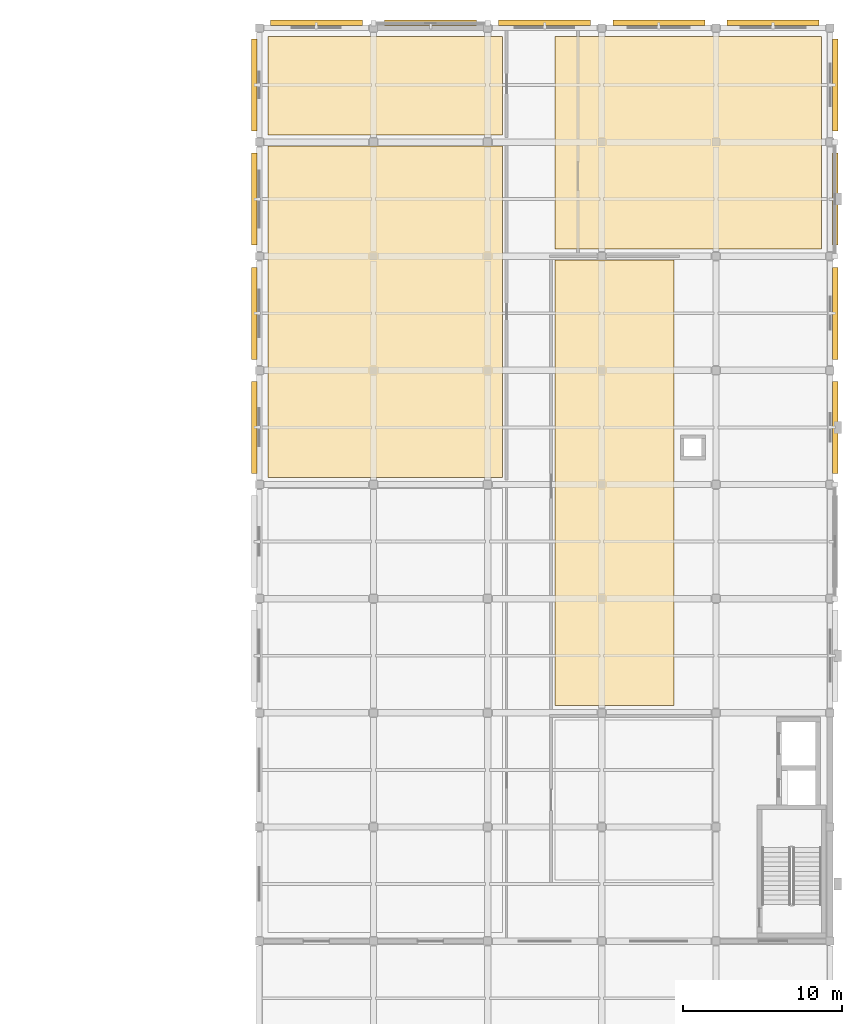
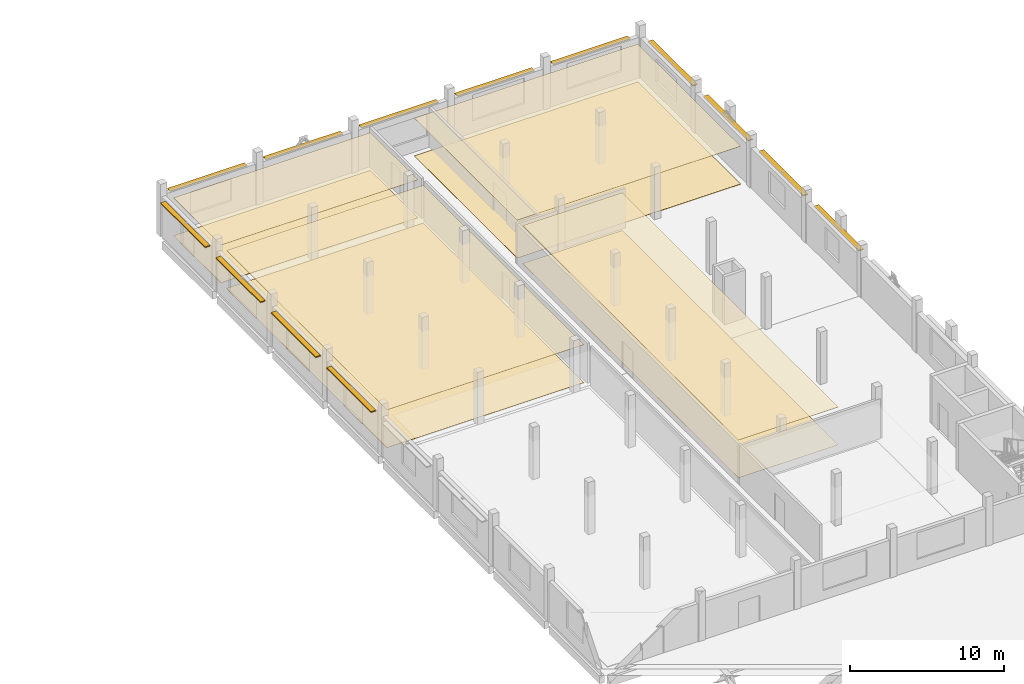
# One storey, part 33 of 33: 13 shading devices, 8 coverings.
"""IFC4 building model written with IfcOpenShell, lengths in metres."""

from ifc_helpers import new_model, si_unit, direction, frame, origin, origin_2d, place, context, subcontext, project, spatial, polyline, rectangle, outline, extrude, material, layer, layer_set, type_object, element, save


model = new_model("IFC4")

# Units and contexts
model_context = context("Model", 3, precision=1e-05, world=origin(), true_north=direction((0.0, 1.0)))
body_context = subcontext(model_context, "Body", "Model", "MODEL_VIEW")
ifc_project = project(units=[si_unit("LENGTHUNIT", "METRE"), si_unit("AREAUNIT", "SQUARE_METRE"), si_unit("VOLUMEUNIT", "CUBIC_METRE"), si_unit("PLANEANGLEUNIT", "RADIAN"), si_unit("MASSUNIT", "GRAM", prefix="KILO")], contexts=[model_context])

# Site, building, storey
site_placement = place(None, origin())
site = spatial("IfcSite", under=ifc_project, at=site_placement, CompositionType="ELEMENT")
building_placement = place(site_placement, origin())
building = spatial("IfcBuilding", under=site, at=building_placement, Name="Valkovuoma Quantum and Materials Research Institute", CompositionType="ELEMENT")
storey_placement = place(building_placement, frame((0.0, 0.0, 21.43994140625)))
storey = spatial("IfcBuildingStorey", under=building, at=storey_placement, Name="L05", CompositionType="ELEMENT", Elevation=21.43994140625)

# Coverings
ifc_material_1 = material(Name="Cleanable acoustic mineral-fibre suspended ceiling", Category="masonry")
ifc_layer_1 = layer(ifc_material_1, 0.02490234375)
ifc_layer_set_1 = layer_set([ifc_layer_1], Name="Cleanable acoustic mineral-fibre suspended ceiling")
covering_type_1 = type_object("IfcCoveringType", Name="Cov-CEIL-01", PredefinedType="CEILING", material=ifc_layer_set_1)
covering_1_placement = place(storey_placement, frame((0.0, 0.0, 3.0)))
element("IfcCovering", 1, at=covering_1_placement, inside=storey, type_object=covering_type_1, Name="L05 acoustic ceiling 0128", PredefinedType="CEILING", context=body_context, shape_type="SweptSolid", body=[
    extrude(outline(polyline([(130.14990234375, 86.85009765625), (144.949951171875, 86.85009765625), (144.949951171875, 107.75), (130.14990234375, 107.75), (130.14990234375, 86.85009765625)])), origin(), (0.0, 0.0, 1.0), 0.025146484375),
])
covering_2_placement = place(storey_placement, frame((0.0, 0.0, 3.0)))
element("IfcCovering", 2, at=covering_2_placement, inside=storey, type_object=covering_type_1, Name="L05 acoustic ceiling 0129", PredefinedType="CEILING", context=body_context, shape_type="SweptSolid", body=[
    extrude(outline(polyline([(130.14990234375, 108.449951171875), (144.949951171875, 108.449951171875), (144.949951171875, 114.64990234375), (130.14990234375, 114.64990234375), (130.14990234375, 108.449951171875)])), origin(), (0.0, 0.0, 1.0), 0.025146484375),
])
covering_3_placement = place(storey_placement, frame((0.0, 0.0, 3.0)))
element("IfcCovering", 3, at=covering_3_placement, inside=storey, type_object=covering_type_1, Name="L05 acoustic ceiling 0131", PredefinedType="CEILING", context=body_context, shape_type="SweptSolid", body=[
    extrude(outline(polyline([(148.25, 72.449951171875), (155.75, 72.449951171875), (155.75, 100.550048828125), (148.25, 100.550048828125), (148.25, 72.449951171875)])), origin(), (0.0, 0.0, 1.0), 0.025146484375),
])
covering_4_placement = place(storey_placement, frame((0.0, 0.0, 3.0)))
element("IfcCovering", 4, at=covering_4_placement, inside=storey, type_object=covering_type_1, Name="L05 acoustic ceiling 0132", PredefinedType="CEILING", context=body_context, shape_type="SweptSolid", body=[
    extrude(outline(polyline([(148.25, 101.25), (165.050048828125, 101.25), (165.050048828125, 114.64990234375), (148.25, 114.64990234375), (148.25, 101.25)])), origin(), (0.0, 0.0, 1.0), 0.025146484375),
])
ifc_material_2 = material(Name="Seamless dissipative laboratory resin flooring", Category="masonry")
ifc_layer_2 = layer(ifc_material_2, 0.014892578125)
ifc_layer_set_2 = layer_set([ifc_layer_2], Name="Seamless dissipative laboratory resin flooring")
covering_type_2 = type_object("IfcCoveringType", Name="Cov-FLOR-01", PredefinedType="FLOORING", material=ifc_layer_set_2)
covering_5_placement = place(storey_placement, origin())
element("IfcCovering", 5, at=covering_5_placement, inside=storey, type_object=covering_type_2, Name="L05 resin flooring 0128", PredefinedType="FLOORING", context=body_context, shape_type="SweptSolid", body=[
    extrude(outline(polyline([(130.14990234375, 86.85009765625), (144.949951171875, 86.85009765625), (144.949951171875, 107.75), (130.14990234375, 107.75), (130.14990234375, 86.85009765625)])), origin(), (0.0, 0.0, 1.0), 0.01513671875),
])
covering_6_placement = place(storey_placement, origin())
element("IfcCovering", 6, at=covering_6_placement, inside=storey, type_object=covering_type_2, Name="L05 resin flooring 0129", PredefinedType="FLOORING", context=body_context, shape_type="SweptSolid", body=[
    extrude(outline(polyline([(130.14990234375, 108.449951171875), (144.949951171875, 108.449951171875), (144.949951171875, 114.64990234375), (130.14990234375, 114.64990234375), (130.14990234375, 108.449951171875)])), origin(), (0.0, 0.0, 1.0), 0.01513671875),
])
covering_7_placement = place(storey_placement, origin())
element("IfcCovering", 7, at=covering_7_placement, inside=storey, type_object=covering_type_2, Name="L05 resin flooring 0131", PredefinedType="FLOORING", context=body_context, shape_type="SweptSolid", body=[
    extrude(outline(polyline([(148.25, 72.449951171875), (155.75, 72.449951171875), (155.75, 100.550048828125), (148.25, 100.550048828125), (148.25, 72.449951171875)])), origin(), (0.0, 0.0, 1.0), 0.01513671875),
])
covering_8_placement = place(storey_placement, origin())
element("IfcCovering", 8, at=covering_8_placement, inside=storey, type_object=covering_type_2, Name="L05 resin flooring 0132", PredefinedType="FLOORING", context=body_context, shape_type="SweptSolid", body=[
    extrude(outline(polyline([(148.25, 101.25), (165.050048828125, 101.25), (165.050048828125, 114.64990234375), (148.25, 114.64990234375), (148.25, 101.25)])), origin(), (0.0, 0.0, 1.0), 0.01513671875),
])

# Shading devices
ifc_material_3 = material(Name="Powder-coated white perforated architectural aluminium panel", Category="aluminium")
ifc_layer_3 = layer(ifc_material_3, 0.050048828125)
ifc_layer_set_3 = layer_set([ifc_layer_3], Name="Powder-coated white perforated architectural aluminium panel")
shading_device_type_1 = type_object("IfcShadingDeviceType", Name="Screen-SCR-DENSE", PredefinedType="JALOUSIE", material=ifc_layer_set_3)
for number, where, z_axis, x_axis, name in (
    (9, (165.919921875, 97.199951171875, 3.010009765625), (0.0, 0.0, 1.0), (1.0, 0.0, 0.0), "L05 wet-lab solar sunshade E-0099"),
    (10, (129.280029296875, 97.199951171875, 3.010009765625), (0.0, 0.0, 1.0), (1.0, 0.0, 0.0), "L05 wet-lab solar sunshade W-0100"),
):
    element("IfcShadingDevice", number, at=place(storey_placement, frame(where, z_axis=z_axis, x_axis=x_axis)), inside=storey, type_object=shading_device_type_1, Name=name, PredefinedType="JALOUSIE", context=body_context, shape_type="SweptSolid", body=[
        extrude(rectangle(XDim=0.360107421875, YDim=5.800048828125, at=origin_2d()), origin(), (0.0, 0.0, 1.0), 0.080078125),
    ])
for number, where, z_axis, x_axis, name in (
    (11, (140.39990234375, 115.52001953125, 3.010009765625), (0.0, 0.0, 1.0), (1.0, 0.0, 0.0), "L05 wet-lab north sunshade 0106"),
    (12, (162.0, 115.52001953125, 3.010009765625), (0.0, 0.0, 1.0), (1.0, 0.0, 0.0), "L05 wet-lab north sunshade 0109"),
):
    element("IfcShadingDevice", number, at=place(storey_placement, frame(where, z_axis=z_axis, x_axis=x_axis)), inside=storey, type_object=shading_device_type_1, Name=name, PredefinedType="JALOUSIE", context=body_context, shape_type="SweptSolid", body=[
        extrude(rectangle(XDim=5.800048828125, YDim=0.360107421875, at=origin_2d()), origin(), (0.0, 0.0, 1.0), 0.080078125),
    ])
ifc_material_4 = material(Name="Powder-coated white perforated architectural aluminium panel", Category="aluminium")
ifc_layer_4 = layer(ifc_material_4, 0.050048828125)
ifc_layer_set_4 = layer_set([ifc_layer_4], Name="Powder-coated white perforated architectural aluminium panel")
shading_device_type_2 = type_object("IfcShadingDeviceType", Name="Screen-SCR-MID", PredefinedType="JALOUSIE", material=ifc_layer_set_4)
for number, where, z_axis, x_axis, name in (
    (13, (165.919921875, 104.39990234375, 3.010009765625), (0.0, 0.0, 1.0), (1.0, 0.0, 0.0), "L05 wet-lab solar sunshade E-0101"),
    (14, (129.280029296875, 104.39990234375, 3.010009765625), (0.0, 0.0, 1.0), (1.0, 0.0, 0.0), "L05 wet-lab solar sunshade W-0102"),
):
    element("IfcShadingDevice", number, at=place(storey_placement, frame(where, z_axis=z_axis, x_axis=x_axis)), inside=storey, type_object=shading_device_type_2, Name=name, PredefinedType="JALOUSIE", context=body_context, shape_type="SweptSolid", body=[
        extrude(rectangle(XDim=0.360107421875, YDim=5.800048828125, at=origin_2d()), origin(), (0.0, 0.0, 1.0), 0.080078125),
    ])
shading_device_placement = place(storey_placement, frame((147.60009765625, 115.52001953125, 3.010009765625), z_axis=(0.0, 0.0, 1.0), x_axis=(1.0, 0.0, 0.0)))
element("IfcShadingDevice", 15, at=shading_device_placement, inside=storey, type_object=shading_device_type_2, Name="L05 wet-lab north sunshade 0107", PredefinedType="JALOUSIE", context=body_context, shape_type="SweptSolid", body=[
    extrude(rectangle(XDim=5.800048828125, YDim=0.360107421875, at=origin_2d()), origin(), (0.0, 0.0, 1.0), 0.080078125),
])
ifc_material_5 = material(Name="Powder-coated white perforated architectural aluminium panel", Category="aluminium")
ifc_layer_5 = layer(ifc_material_5, 0.050048828125)
ifc_layer_set_5 = layer_set([ifc_layer_5], Name="Powder-coated white perforated architectural aluminium panel")
shading_device_type_3 = type_object("IfcShadingDeviceType", Name="Screen-SCR-SPARSE", PredefinedType="JALOUSIE", material=ifc_layer_set_5)
for number, where, z_axis, x_axis, name in (
    (16, (165.919921875, 90.0, 3.010009765625), (0.0, 0.0, 1.0), (1.0, 0.0, 0.0), "L05 wet-lab solar sunshade E-0097"),
    (17, (129.280029296875, 90.0, 3.010009765625), (0.0, 0.0, 1.0), (1.0, 0.0, 0.0), "L05 wet-lab solar sunshade W-0098"),
    (18, (165.919921875, 111.60009765625, 3.010009765625), (0.0, 0.0, 1.0), (1.0, 0.0, 0.0), "L05 wet-lab solar sunshade E-0103"),
    (19, (129.280029296875, 111.60009765625, 3.010009765625), (0.0, 0.0, 1.0), (1.0, 0.0, 0.0), "L05 wet-lab solar sunshade W-0104"),
):
    element("IfcShadingDevice", number, at=place(storey_placement, frame(where, z_axis=z_axis, x_axis=x_axis)), inside=storey, type_object=shading_device_type_3, Name=name, PredefinedType="JALOUSIE", context=body_context, shape_type="SweptSolid", body=[
        extrude(rectangle(XDim=0.360107421875, YDim=5.800048828125, at=origin_2d()), origin(), (0.0, 0.0, 1.0), 0.080078125),
    ])
for number, where, z_axis, x_axis, name in (
    (20, (133.199951171875, 115.52001953125, 3.010009765625), (0.0, 0.0, 1.0), (1.0, 0.0, 0.0), "L05 wet-lab north sunshade 0105"),
    (21, (154.800048828125, 115.52001953125, 3.010009765625), (0.0, 0.0, 1.0), (1.0, 0.0, 0.0), "L05 wet-lab north sunshade 0108"),
):
    element("IfcShadingDevice", number, at=place(storey_placement, frame(where, z_axis=z_axis, x_axis=x_axis)), inside=storey, type_object=shading_device_type_3, Name=name, PredefinedType="JALOUSIE", context=body_context, shape_type="SweptSolid", body=[
        extrude(rectangle(XDim=5.800048828125, YDim=0.360107421875, at=origin_2d()), origin(), (0.0, 0.0, 1.0), 0.080078125),
    ])

save(model, "model.ifc")
